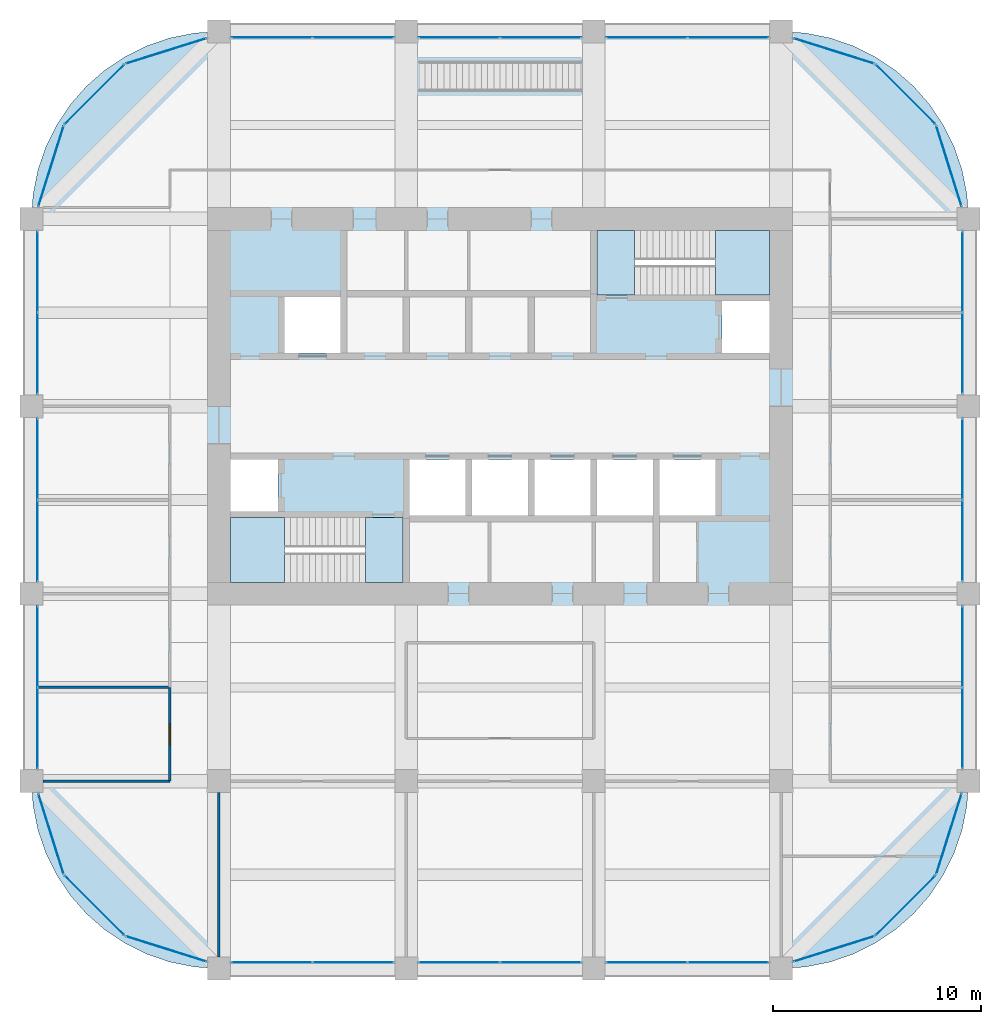
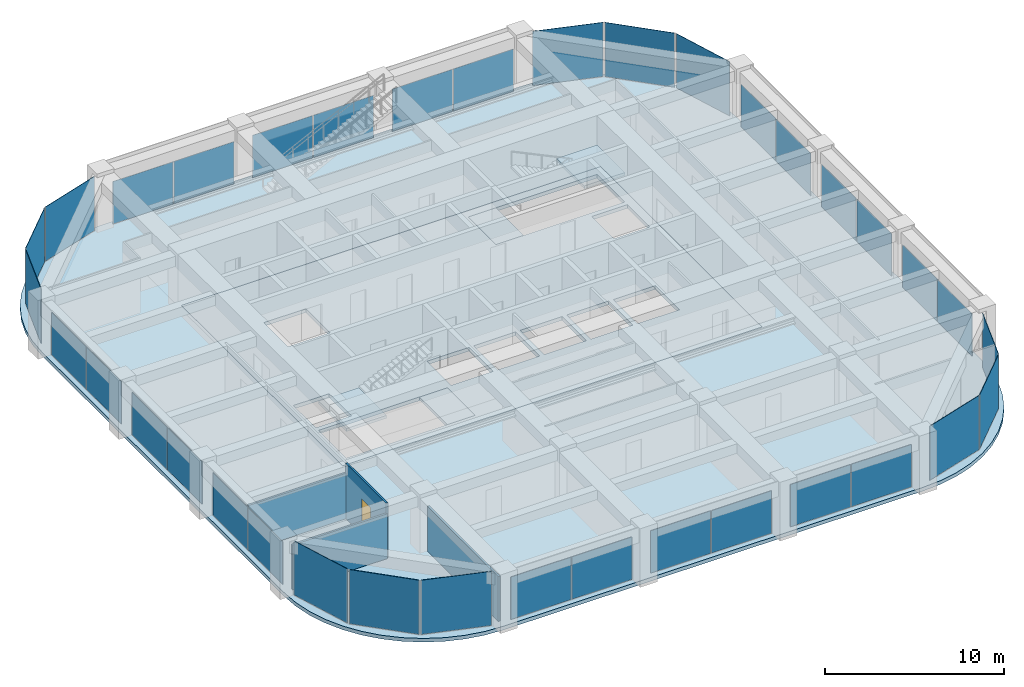
# One storey, part 40 of 45: 36 plates, 6 slabs, 4 walls, 1 door, 1 opening, 26 elements without a shape of their own.
"""IFC4 building model written with IfcOpenShell, lengths in metres."""

from ifc_helpers import new_model, si_unit, direction, frame, frame_2d, origin, origin_2d, place, context, subcontext, project, spatial, polyline, rectangle, outline, extrude, material, layer, layer_set, type_object, element, fill, aggregate, save


model = new_model("IFC4")

# Units and contexts
model_context = context("Model", 3, precision=1e-05, world=origin(), true_north=direction((0.0, 1.0)))
body_context = subcontext(model_context, "Body", "Model", "MODEL_VIEW")
ifc_project = project(units=[si_unit("LENGTHUNIT", "METRE"), si_unit("AREAUNIT", "SQUARE_METRE"), si_unit("VOLUMEUNIT", "CUBIC_METRE"), si_unit("PLANEANGLEUNIT", "RADIAN"), si_unit("MASSUNIT", "GRAM", prefix="KILO")], contexts=[model_context])

# Site, building, storey
site_placement = place(None, origin())
site = spatial("IfcSite", under=ifc_project, at=site_placement, CompositionType="ELEMENT")
building_placement = place(site_placement, origin())
building = spatial("IfcBuilding", under=site, at=building_placement, Name="Zorevar Civic Tower", CompositionType="ELEMENT")
storey_placement = place(building_placement, frame((0.0, 0.0, 291.39990234375)))
storey = spatial("IfcBuildingStorey", under=building, at=storey_placement, Name="L71", CompositionType="ELEMENT", Elevation=291.39990234375)

# Curtain wall, plates
ifc_material_1 = material(Name="Dark grey solar-control glass in black aluminium frame", Category="aluminium")
curtain_wall_type = type_object("IfcCurtainWallType", Name="Curtain wall CW5 top zone", PredefinedType="NOTDEFINED", material=ifc_material_1)
curtain_wall_1_placement = place(storey_placement, origin())
curtain_wall_1 = element("IfcCurtainWall", 1, at=curtain_wall_1_placement, inside=storey, type_object=curtain_wall_type, Name="CW5 L71", PredefinedType="NOTDEFINED")
ifc_material_2 = material(Name="Dark grey solar-control glass", Category="glass")
ifc_layer_1 = layer(ifc_material_2, 0.028076171875)
ifc_layer_set_1 = layer_set([ifc_layer_1], Name="CW5 panel 28")
plate_type = type_object("IfcPlateType", Name="CW5 panel 28", PredefinedType="CURTAIN_PANEL", material=ifc_layer_set_1)
plate_1_placement = place(storey_placement, frame((20.5400390625, 0.300048828125, 0.06005859375), z_axis=(0.0, 0.0, 1.0), x_axis=(1.0, 0.0, 0.0)))
plate_1 = element("IfcPlate", 2, at=plate_1_placement, type_object=plate_type, Name="CW5 panel 1.1", PredefinedType="CURTAIN_PANEL", context=body_context, shape_type="SweptSolid", body=[
    extrude(rectangle(XDim=3.860107421875, YDim=0.028076171875, at=origin_2d()), origin(), (0.0, 0.0, 1.0), 2.889892578125),
])
plate_2_placement = place(storey_placement, frame((24.4599609375, 0.300048828125, 0.06005859375), z_axis=(0.0, 0.0, 1.0), x_axis=(1.0, 0.0, 0.0)))
plate_2 = element("IfcPlate", 3, at=plate_2_placement, type_object=plate_type, Name="CW5 panel 2.1", PredefinedType="CURTAIN_PANEL", context=body_context, shape_type="SweptSolid", body=[
    extrude(rectangle(XDim=3.860107421875, YDim=0.028076171875, at=origin_2d()), origin(), (0.0, 0.0, 1.0), 2.889892578125),
])
aggregate(curtain_wall_1, [plate_1, plate_2])

curtain_wall_2_placement = place(storey_placement, origin())
curtain_wall_2 = element("IfcCurtainWall", 4, at=curtain_wall_2_placement, inside=storey, type_object=curtain_wall_type, Name="CW5 L71", PredefinedType="NOTDEFINED")
plate_3_placement = place(storey_placement, frame((20.5400390625, 44.699951171875, 0.06005859375), z_axis=(0.0, 0.0, 1.0), x_axis=(1.0, 0.0, 0.0)))
plate_3 = element("IfcPlate", 5, at=plate_3_placement, type_object=plate_type, Name="CW5 panel 1.1", PredefinedType="CURTAIN_PANEL", context=body_context, shape_type="SweptSolid", body=[
    extrude(rectangle(XDim=3.860107421875, YDim=0.028076171875, at=origin_2d()), origin(), (0.0, 0.0, 1.0), 2.889892578125),
])
plate_4_placement = place(storey_placement, frame((24.4599609375, 44.699951171875, 0.06005859375), z_axis=(0.0, 0.0, 1.0), x_axis=(1.0, 0.0, 0.0)))
plate_4 = element("IfcPlate", 6, at=plate_4_placement, type_object=plate_type, Name="CW5 panel 2.1", PredefinedType="CURTAIN_PANEL", context=body_context, shape_type="SweptSolid", body=[
    extrude(rectangle(XDim=3.860107421875, YDim=0.028076171875, at=origin_2d()), origin(), (0.0, 0.0, 1.0), 2.889892578125),
])
aggregate(curtain_wall_2, [plate_3, plate_4])

curtain_wall_3_placement = place(storey_placement, origin())
curtain_wall_3 = element("IfcCurtainWall", 7, at=curtain_wall_3_placement, inside=storey, type_object=curtain_wall_type, Name="CW5 L71", PredefinedType="NOTDEFINED")
plate_5_placement = place(storey_placement, frame((29.5400390625, 0.300048828125, 0.06005859375), z_axis=(0.0, 0.0, 1.0), x_axis=(1.0, 0.0, 0.0)))
plate_5 = element("IfcPlate", 8, at=plate_5_placement, type_object=plate_type, Name="CW5 panel 1.1", PredefinedType="CURTAIN_PANEL", context=body_context, shape_type="SweptSolid", body=[
    extrude(rectangle(XDim=3.860107421875, YDim=0.028076171875, at=origin_2d()), origin(), (0.0, 0.0, 1.0), 2.889892578125),
])
plate_6_placement = place(storey_placement, frame((33.4599609375, 0.300048828125, 0.06005859375), z_axis=(0.0, 0.0, 1.0), x_axis=(1.0, 0.0, 0.0)))
plate_6 = element("IfcPlate", 9, at=plate_6_placement, type_object=plate_type, Name="CW5 panel 2.1", PredefinedType="CURTAIN_PANEL", context=body_context, shape_type="SweptSolid", body=[
    extrude(rectangle(XDim=3.860107421875, YDim=0.028076171875, at=origin_2d()), origin(), (0.0, 0.0, 1.0), 2.889892578125),
])
aggregate(curtain_wall_3, [plate_5, plate_6])

curtain_wall_4_placement = place(storey_placement, origin())
curtain_wall_4 = element("IfcCurtainWall", 10, at=curtain_wall_4_placement, inside=storey, type_object=curtain_wall_type, Name="CW5 L71", PredefinedType="NOTDEFINED")
plate_7_placement = place(storey_placement, frame((29.5400390625, 44.699951171875, 0.06005859375), z_axis=(0.0, 0.0, 1.0), x_axis=(1.0, 0.0, 0.0)))
plate_7 = element("IfcPlate", 11, at=plate_7_placement, type_object=plate_type, Name="CW5 panel 1.1", PredefinedType="CURTAIN_PANEL", context=body_context, shape_type="SweptSolid", body=[
    extrude(rectangle(XDim=3.860107421875, YDim=0.028076171875, at=origin_2d()), origin(), (0.0, 0.0, 1.0), 2.889892578125),
])
plate_8_placement = place(storey_placement, frame((33.4599609375, 44.699951171875, 0.06005859375), z_axis=(0.0, 0.0, 1.0), x_axis=(1.0, 0.0, 0.0)))
plate_8 = element("IfcPlate", 12, at=plate_8_placement, type_object=plate_type, Name="CW5 panel 2.1", PredefinedType="CURTAIN_PANEL", context=body_context, shape_type="SweptSolid", body=[
    extrude(rectangle(XDim=3.860107421875, YDim=0.028076171875, at=origin_2d()), origin(), (0.0, 0.0, 1.0), 2.889892578125),
])
aggregate(curtain_wall_4, [plate_7, plate_8])

curtain_wall_5_placement = place(storey_placement, origin())
curtain_wall_5 = element("IfcCurtainWall", 13, at=curtain_wall_5_placement, inside=storey, type_object=curtain_wall_type, Name="CW5 L71", PredefinedType="NOTDEFINED")
plate_9_placement = place(storey_placement, frame((38.5400390625, 0.300048828125, 0.06005859375), z_axis=(0.0, 0.0, 1.0), x_axis=(1.0, 0.0, 0.0)))
plate_9 = element("IfcPlate", 14, at=plate_9_placement, type_object=plate_type, Name="CW5 panel 1.1", PredefinedType="CURTAIN_PANEL", context=body_context, shape_type="SweptSolid", body=[
    extrude(rectangle(XDim=3.860107421875, YDim=0.028076171875, at=origin_2d()), origin(), (0.0, 0.0, 1.0), 2.889892578125),
])
plate_10_placement = place(storey_placement, frame((42.4599609375, 0.300048828125, 0.06005859375), z_axis=(0.0, 0.0, 1.0), x_axis=(1.0, 0.0, 0.0)))
plate_10 = element("IfcPlate", 15, at=plate_10_placement, type_object=plate_type, Name="CW5 panel 2.1", PredefinedType="CURTAIN_PANEL", context=body_context, shape_type="SweptSolid", body=[
    extrude(rectangle(XDim=3.860107421875, YDim=0.028076171875, at=origin_2d()), origin(), (0.0, 0.0, 1.0), 2.889892578125),
])
aggregate(curtain_wall_5, [plate_9, plate_10])

curtain_wall_6_placement = place(storey_placement, origin())
curtain_wall_6 = element("IfcCurtainWall", 16, at=curtain_wall_6_placement, inside=storey, type_object=curtain_wall_type, Name="CW5 L71", PredefinedType="NOTDEFINED")
plate_11_placement = place(storey_placement, frame((38.5400390625, 44.699951171875, 0.06005859375), z_axis=(0.0, 0.0, 1.0), x_axis=(1.0, 0.0, 0.0)))
plate_11 = element("IfcPlate", 17, at=plate_11_placement, type_object=plate_type, Name="CW5 panel 1.1", PredefinedType="CURTAIN_PANEL", context=body_context, shape_type="SweptSolid", body=[
    extrude(rectangle(XDim=3.860107421875, YDim=0.028076171875, at=origin_2d()), origin(), (0.0, 0.0, 1.0), 2.889892578125),
])
plate_12_placement = place(storey_placement, frame((42.4599609375, 44.699951171875, 0.06005859375), z_axis=(0.0, 0.0, 1.0), x_axis=(1.0, 0.0, 0.0)))
plate_12 = element("IfcPlate", 18, at=plate_12_placement, type_object=plate_type, Name="CW5 panel 2.1", PredefinedType="CURTAIN_PANEL", context=body_context, shape_type="SweptSolid", body=[
    extrude(rectangle(XDim=3.860107421875, YDim=0.028076171875, at=origin_2d()), origin(), (0.0, 0.0, 1.0), 2.889892578125),
])
aggregate(curtain_wall_6, [plate_11, plate_12])

curtain_wall_7_placement = place(storey_placement, origin())
curtain_wall_7 = element("IfcCurtainWall", 19, at=curtain_wall_7_placement, inside=storey, type_object=curtain_wall_type, Name="CW5 L71", PredefinedType="NOTDEFINED")
plate_13_placement = place(storey_placement, frame((9.300048828125, 11.5400390625, 0.06005859375), z_axis=(0.0, 0.0, 1.0), x_axis=(0.0, 1.0, 0.0)))
plate_13 = element("IfcPlate", 20, at=plate_13_placement, type_object=plate_type, Name="CW5 panel 1.1", PredefinedType="CURTAIN_PANEL", context=body_context, shape_type="SweptSolid", body=[
    extrude(rectangle(XDim=3.860107421875, YDim=0.028076171875, at=origin_2d()), origin(), (0.0, 0.0, 1.0), 2.889892578125),
])
plate_14_placement = place(storey_placement, frame((9.300048828125, 15.4599609375, 0.06005859375), z_axis=(0.0, 0.0, 1.0), x_axis=(0.0, 1.0, 0.0)))
plate_14 = element("IfcPlate", 21, at=plate_14_placement, type_object=plate_type, Name="CW5 panel 2.1", PredefinedType="CURTAIN_PANEL", context=body_context, shape_type="SweptSolid", body=[
    extrude(rectangle(XDim=3.860107421875, YDim=0.028076171875, at=origin_2d()), origin(), (0.0, 0.0, 1.0), 2.889892578125),
])
aggregate(curtain_wall_7, [plate_13, plate_14])

curtain_wall_8_placement = place(storey_placement, origin())
curtain_wall_8 = element("IfcCurtainWall", 22, at=curtain_wall_8_placement, inside=storey, type_object=curtain_wall_type, Name="CW5 L71", PredefinedType="NOTDEFINED")
plate_15_placement = place(storey_placement, frame((53.699951171875, 11.5400390625, 0.06005859375), z_axis=(0.0, 0.0, 1.0), x_axis=(0.0, 1.0, 0.0)))
plate_15 = element("IfcPlate", 23, at=plate_15_placement, type_object=plate_type, Name="CW5 panel 1.1", PredefinedType="CURTAIN_PANEL", context=body_context, shape_type="SweptSolid", body=[
    extrude(rectangle(XDim=3.860107421875, YDim=0.028076171875, at=origin_2d()), origin(), (0.0, 0.0, 1.0), 2.889892578125),
])
plate_16_placement = place(storey_placement, frame((53.699951171875, 15.4599609375, 0.06005859375), z_axis=(0.0, 0.0, 1.0), x_axis=(0.0, 1.0, 0.0)))
plate_16 = element("IfcPlate", 24, at=plate_16_placement, type_object=plate_type, Name="CW5 panel 2.1", PredefinedType="CURTAIN_PANEL", context=body_context, shape_type="SweptSolid", body=[
    extrude(rectangle(XDim=3.860107421875, YDim=0.028076171875, at=origin_2d()), origin(), (0.0, 0.0, 1.0), 2.889892578125),
])
aggregate(curtain_wall_8, [plate_15, plate_16])

curtain_wall_9_placement = place(storey_placement, origin())
curtain_wall_9 = element("IfcCurtainWall", 25, at=curtain_wall_9_placement, inside=storey, type_object=curtain_wall_type, Name="CW5 L71", PredefinedType="NOTDEFINED")
plate_17_placement = place(storey_placement, frame((9.300048828125, 20.5400390625, 0.06005859375), z_axis=(0.0, 0.0, 1.0), x_axis=(0.0, 1.0, 0.0)))
plate_17 = element("IfcPlate", 26, at=plate_17_placement, type_object=plate_type, Name="CW5 panel 1.1", PredefinedType="CURTAIN_PANEL", context=body_context, shape_type="SweptSolid", body=[
    extrude(rectangle(XDim=3.860107421875, YDim=0.028076171875, at=origin_2d()), origin(), (0.0, 0.0, 1.0), 2.889892578125),
])
plate_18_placement = place(storey_placement, frame((9.300048828125, 24.4599609375, 0.06005859375), z_axis=(0.0, 0.0, 1.0), x_axis=(0.0, 1.0, 0.0)))
plate_18 = element("IfcPlate", 27, at=plate_18_placement, type_object=plate_type, Name="CW5 panel 2.1", PredefinedType="CURTAIN_PANEL", context=body_context, shape_type="SweptSolid", body=[
    extrude(rectangle(XDim=3.860107421875, YDim=0.028076171875, at=origin_2d()), origin(), (0.0, 0.0, 1.0), 2.889892578125),
])
aggregate(curtain_wall_9, [plate_17, plate_18])

curtain_wall_10_placement = place(storey_placement, origin())
curtain_wall_10 = element("IfcCurtainWall", 28, at=curtain_wall_10_placement, inside=storey, type_object=curtain_wall_type, Name="CW5 L71", PredefinedType="NOTDEFINED")
plate_19_placement = place(storey_placement, frame((53.699951171875, 20.5400390625, 0.06005859375), z_axis=(0.0, 0.0, 1.0), x_axis=(0.0, 1.0, 0.0)))
plate_19 = element("IfcPlate", 29, at=plate_19_placement, type_object=plate_type, Name="CW5 panel 1.1", PredefinedType="CURTAIN_PANEL", context=body_context, shape_type="SweptSolid", body=[
    extrude(rectangle(XDim=3.860107421875, YDim=0.028076171875, at=origin_2d()), origin(), (0.0, 0.0, 1.0), 2.889892578125),
])
plate_20_placement = place(storey_placement, frame((53.699951171875, 24.4599609375, 0.06005859375), z_axis=(0.0, 0.0, 1.0), x_axis=(0.0, 1.0, 0.0)))
plate_20 = element("IfcPlate", 30, at=plate_20_placement, type_object=plate_type, Name="CW5 panel 2.1", PredefinedType="CURTAIN_PANEL", context=body_context, shape_type="SweptSolid", body=[
    extrude(rectangle(XDim=3.860107421875, YDim=0.028076171875, at=origin_2d()), origin(), (0.0, 0.0, 1.0), 2.889892578125),
])
aggregate(curtain_wall_10, [plate_19, plate_20])

curtain_wall_11_placement = place(storey_placement, origin())
curtain_wall_11 = element("IfcCurtainWall", 31, at=curtain_wall_11_placement, inside=storey, type_object=curtain_wall_type, Name="CW5 L71", PredefinedType="NOTDEFINED")
plate_21_placement = place(storey_placement, frame((9.300048828125, 29.5400390625, 0.06005859375), z_axis=(0.0, 0.0, 1.0), x_axis=(0.0, 1.0, 0.0)))
plate_21 = element("IfcPlate", 32, at=plate_21_placement, type_object=plate_type, Name="CW5 panel 1.1", PredefinedType="CURTAIN_PANEL", context=body_context, shape_type="SweptSolid", body=[
    extrude(rectangle(XDim=3.860107421875, YDim=0.028076171875, at=origin_2d()), origin(), (0.0, 0.0, 1.0), 2.889892578125),
])
plate_22_placement = place(storey_placement, frame((9.300048828125, 33.4599609375, 0.06005859375), z_axis=(0.0, 0.0, 1.0), x_axis=(0.0, 1.0, 0.0)))
plate_22 = element("IfcPlate", 33, at=plate_22_placement, type_object=plate_type, Name="CW5 panel 2.1", PredefinedType="CURTAIN_PANEL", context=body_context, shape_type="SweptSolid", body=[
    extrude(rectangle(XDim=3.860107421875, YDim=0.028076171875, at=origin_2d()), origin(), (0.0, 0.0, 1.0), 2.889892578125),
])
aggregate(curtain_wall_11, [plate_21, plate_22])

curtain_wall_12_placement = place(storey_placement, origin())
curtain_wall_12 = element("IfcCurtainWall", 34, at=curtain_wall_12_placement, inside=storey, type_object=curtain_wall_type, Name="CW5 L71", PredefinedType="NOTDEFINED")
plate_23_placement = place(storey_placement, frame((53.699951171875, 29.5400390625, 0.06005859375), z_axis=(0.0, 0.0, 1.0), x_axis=(0.0, 1.0, 0.0)))
plate_23 = element("IfcPlate", 35, at=plate_23_placement, type_object=plate_type, Name="CW5 panel 1.1", PredefinedType="CURTAIN_PANEL", context=body_context, shape_type="SweptSolid", body=[
    extrude(rectangle(XDim=3.860107421875, YDim=0.028076171875, at=origin_2d()), origin(), (0.0, 0.0, 1.0), 2.889892578125),
])
plate_24_placement = place(storey_placement, frame((53.699951171875, 33.4599609375, 0.06005859375), z_axis=(0.0, 0.0, 1.0), x_axis=(0.0, 1.0, 0.0)))
plate_24 = element("IfcPlate", 36, at=plate_24_placement, type_object=plate_type, Name="CW5 panel 2.1", PredefinedType="CURTAIN_PANEL", context=body_context, shape_type="SweptSolid", body=[
    extrude(rectangle(XDim=3.860107421875, YDim=0.028076171875, at=origin_2d()), origin(), (0.0, 0.0, 1.0), 2.889892578125),
])
aggregate(curtain_wall_12, [plate_23, plate_24])

# Curtain wall, plate
curtain_wall_13_placement = place(storey_placement, origin())
curtain_wall_13 = element("IfcCurtainWall", 37, at=curtain_wall_13_placement, inside=storey, type_object=curtain_wall_type, Name="CW5 L71", PredefinedType="NOTDEFINED")
plate_25_placement = place(storey_placement, frame((47.52880859375, 0.938232421875, 0.06005859375), z_axis=(0.0, 0.0, 1.0), x_axis=(0.954153437674, 0.299317920238, 0.0)))
plate_25 = element("IfcPlate", 38, at=plate_25_placement, type_object=plate_type, Name="CW5 panel 1.1", PredefinedType="CURTAIN_PANEL", context=body_context, shape_type="SweptSolid", body=[
    extrude(rectangle(XDim=4.028076171875, YDim=0.028076171875, at=origin_2d()), origin(), (0.0, 0.0, 1.0), 3.68994140625),
])
aggregate(curtain_wall_13, [plate_25])

curtain_wall_14_placement = place(storey_placement, origin())
curtain_wall_14 = element("IfcCurtainWall", 39, at=curtain_wall_14_placement, inside=storey, type_object=curtain_wall_type, Name="CW5 L71", PredefinedType="NOTDEFINED")
plate_26_placement = place(storey_placement, frame((50.974365234375, 3.025634765625, 0.06005859375), z_axis=(0.0, 0.0, 1.0), x_axis=(0.707106781187, 0.707106781187, 0.0)))
plate_26 = element("IfcPlate", 40, at=plate_26_placement, type_object=plate_type, Name="CW5 panel 1.1", PredefinedType="CURTAIN_PANEL", context=body_context, shape_type="SweptSolid", body=[
    extrude(rectangle(XDim=4.028076171875, YDim=0.028076171875, at=origin_2d()), origin(), (0.0, 0.0, 1.0), 3.68994140625),
])
aggregate(curtain_wall_14, [plate_26])

curtain_wall_15_placement = place(storey_placement, origin())
curtain_wall_15 = element("IfcCurtainWall", 41, at=curtain_wall_15_placement, inside=storey, type_object=curtain_wall_type, Name="CW5 L71", PredefinedType="NOTDEFINED")
plate_27_placement = place(storey_placement, frame((53.061767578125, 6.47119140625, 0.06005859375), z_axis=(0.0, 0.0, 1.0), x_axis=(0.299317920238, 0.954153437674, 0.0)))
plate_27 = element("IfcPlate", 42, at=plate_27_placement, type_object=plate_type, Name="CW5 panel 1.1", PredefinedType="CURTAIN_PANEL", context=body_context, shape_type="SweptSolid", body=[
    extrude(rectangle(XDim=4.028076171875, YDim=0.028076171875, at=origin_2d()), origin(), (0.0, 0.0, 1.0), 3.68994140625),
])
aggregate(curtain_wall_15, [plate_27])

curtain_wall_16_placement = place(storey_placement, origin())
curtain_wall_16 = element("IfcCurtainWall", 43, at=curtain_wall_16_placement, inside=storey, type_object=curtain_wall_type, Name="CW5 L71", PredefinedType="NOTDEFINED")
plate_28_placement = place(storey_placement, frame((53.061767578125, 38.52880859375, 0.06005859375), z_axis=(0.0, 0.0, 1.0), x_axis=(-0.299317920238, 0.954153437674, 0.0)))
plate_28 = element("IfcPlate", 44, at=plate_28_placement, type_object=plate_type, Name="CW5 panel 1.1", PredefinedType="CURTAIN_PANEL", context=body_context, shape_type="SweptSolid", body=[
    extrude(rectangle(XDim=4.028076171875, YDim=0.028076171875, at=origin_2d()), origin(), (0.0, 0.0, 1.0), 3.68994140625),
])
aggregate(curtain_wall_16, [plate_28])

curtain_wall_17_placement = place(storey_placement, origin())
curtain_wall_17 = element("IfcCurtainWall", 45, at=curtain_wall_17_placement, inside=storey, type_object=curtain_wall_type, Name="CW5 L71", PredefinedType="NOTDEFINED")
plate_29_placement = place(storey_placement, frame((50.974365234375, 41.974365234375, 0.06005859375), z_axis=(0.0, 0.0, 1.0), x_axis=(-0.707106781187, 0.707106781187, 0.0)))
plate_29 = element("IfcPlate", 46, at=plate_29_placement, type_object=plate_type, Name="CW5 panel 1.1", PredefinedType="CURTAIN_PANEL", context=body_context, shape_type="SweptSolid", body=[
    extrude(rectangle(XDim=4.028076171875, YDim=0.028076171875, at=origin_2d()), origin(), (0.0, 0.0, 1.0), 3.68994140625),
])
aggregate(curtain_wall_17, [plate_29])

curtain_wall_18_placement = place(storey_placement, origin())
curtain_wall_18 = element("IfcCurtainWall", 47, at=curtain_wall_18_placement, inside=storey, type_object=curtain_wall_type, Name="CW5 L71", PredefinedType="NOTDEFINED")
plate_30_placement = place(storey_placement, frame((47.52880859375, 44.061767578125, 0.06005859375), z_axis=(0.0, 0.0, 1.0), x_axis=(-0.954153437674, 0.299317920238, 0.0)))
plate_30 = element("IfcPlate", 48, at=plate_30_placement, type_object=plate_type, Name="CW5 panel 1.1", PredefinedType="CURTAIN_PANEL", context=body_context, shape_type="SweptSolid", body=[
    extrude(rectangle(XDim=4.028076171875, YDim=0.028076171875, at=origin_2d()), origin(), (0.0, 0.0, 1.0), 3.68994140625),
])
aggregate(curtain_wall_18, [plate_30])

curtain_wall_19_placement = place(storey_placement, origin())
curtain_wall_19 = element("IfcCurtainWall", 49, at=curtain_wall_19_placement, inside=storey, type_object=curtain_wall_type, Name="CW5 L71", PredefinedType="NOTDEFINED")
plate_31_placement = place(storey_placement, frame((15.47119140625, 44.061767578125, 0.06005859375), z_axis=(0.0, 0.0, 1.0), x_axis=(-0.954153437674, -0.299317920238, 0.0)))
plate_31 = element("IfcPlate", 50, at=plate_31_placement, type_object=plate_type, Name="CW5 panel 1.1", PredefinedType="CURTAIN_PANEL", context=body_context, shape_type="SweptSolid", body=[
    extrude(rectangle(XDim=4.028076171875, YDim=0.028076171875, at=origin_2d()), origin(), (0.0, 0.0, 1.0), 3.68994140625),
])
aggregate(curtain_wall_19, [plate_31])

curtain_wall_20_placement = place(storey_placement, origin())
curtain_wall_20 = element("IfcCurtainWall", 51, at=curtain_wall_20_placement, inside=storey, type_object=curtain_wall_type, Name="CW5 L71", PredefinedType="NOTDEFINED")
plate_32_placement = place(storey_placement, frame((12.025634765625, 41.974365234375, 0.06005859375), z_axis=(0.0, 0.0, 1.0), x_axis=(-0.707106781187, -0.707106781187, 0.0)))
plate_32 = element("IfcPlate", 52, at=plate_32_placement, type_object=plate_type, Name="CW5 panel 1.1", PredefinedType="CURTAIN_PANEL", context=body_context, shape_type="SweptSolid", body=[
    extrude(rectangle(XDim=4.028076171875, YDim=0.028076171875, at=origin_2d()), origin(), (0.0, 0.0, 1.0), 3.68994140625),
])
aggregate(curtain_wall_20, [plate_32])

curtain_wall_21_placement = place(storey_placement, origin())
curtain_wall_21 = element("IfcCurtainWall", 53, at=curtain_wall_21_placement, inside=storey, type_object=curtain_wall_type, Name="CW5 L71", PredefinedType="NOTDEFINED")
plate_33_placement = place(storey_placement, frame((9.938232421875, 38.52880859375, 0.06005859375), z_axis=(0.0, 0.0, 1.0), x_axis=(-0.299317920238, -0.954153437674, 0.0)))
plate_33 = element("IfcPlate", 54, at=plate_33_placement, type_object=plate_type, Name="CW5 panel 1.1", PredefinedType="CURTAIN_PANEL", context=body_context, shape_type="SweptSolid", body=[
    extrude(rectangle(XDim=4.028076171875, YDim=0.028076171875, at=origin_2d()), origin(), (0.0, 0.0, 1.0), 3.68994140625),
])
aggregate(curtain_wall_21, [plate_33])

curtain_wall_22_placement = place(storey_placement, origin())
curtain_wall_22 = element("IfcCurtainWall", 55, at=curtain_wall_22_placement, inside=storey, type_object=curtain_wall_type, Name="CW5 L71", PredefinedType="NOTDEFINED")
plate_34_placement = place(storey_placement, frame((9.938232421875, 6.47119140625, 0.06005859375), z_axis=(0.0, 0.0, 1.0), x_axis=(0.299317920238, -0.954153437674, 0.0)))
plate_34 = element("IfcPlate", 56, at=plate_34_placement, type_object=plate_type, Name="CW5 panel 1.1", PredefinedType="CURTAIN_PANEL", context=body_context, shape_type="SweptSolid", body=[
    extrude(rectangle(XDim=4.028076171875, YDim=0.028076171875, at=origin_2d()), origin(), (0.0, 0.0, 1.0), 3.68994140625),
])
aggregate(curtain_wall_22, [plate_34])

curtain_wall_23_placement = place(storey_placement, origin())
curtain_wall_23 = element("IfcCurtainWall", 57, at=curtain_wall_23_placement, inside=storey, type_object=curtain_wall_type, Name="CW5 L71", PredefinedType="NOTDEFINED")
plate_35_placement = place(storey_placement, frame((12.025634765625, 3.025634765625, 0.06005859375), z_axis=(0.0, 0.0, 1.0), x_axis=(0.707106781187, -0.707106781187, 0.0)))
plate_35 = element("IfcPlate", 58, at=plate_35_placement, type_object=plate_type, Name="CW5 panel 1.1", PredefinedType="CURTAIN_PANEL", context=body_context, shape_type="SweptSolid", body=[
    extrude(rectangle(XDim=4.028076171875, YDim=0.028076171875, at=origin_2d()), origin(), (0.0, 0.0, 1.0), 3.68994140625),
])
aggregate(curtain_wall_23, [plate_35])

curtain_wall_24_placement = place(storey_placement, origin())
curtain_wall_24 = element("IfcCurtainWall", 59, at=curtain_wall_24_placement, inside=storey, type_object=curtain_wall_type, Name="CW5 L71", PredefinedType="NOTDEFINED")
plate_36_placement = place(storey_placement, frame((15.47119140625, 0.938232421875, 0.06005859375), z_axis=(0.0, 0.0, 1.0), x_axis=(0.954153437674, -0.299317920238, 0.0)))
plate_36 = element("IfcPlate", 60, at=plate_36_placement, type_object=plate_type, Name="CW5 panel 1.1", PredefinedType="CURTAIN_PANEL", context=body_context, shape_type="SweptSolid", body=[
    extrude(rectangle(XDim=4.028076171875, YDim=0.028076171875, at=origin_2d()), origin(), (0.0, 0.0, 1.0), 3.68994140625),
])
aggregate(curtain_wall_24, [plate_36])

# Slabs
ifc_material_3 = material(Name="Concrete C40/50", Category="concrete")
ifc_layer_2 = layer(ifc_material_3, 0.25)
ifc_layer_set_2 = layer_set([ifc_layer_2], Name="Floor slab 250")
slab_type_1 = type_object("IfcSlabType", Name="Floor slab 250", PredefinedType="FLOOR", material=ifc_layer_set_2)
slab_1_placement = place(storey_placement, frame((0.0, 0.0, -0.25)))
element("IfcSlab", 61, at=slab_1_placement, inside=storey, type_object=slab_type_1, Name="Floor slab L71", PredefinedType="FLOOR", context=body_context, shape_type="SweptSolid", body=[
    extrude(outline(polyline([(45.0, 0.0), (46.1748046875, 0.076904296875), (47.329345703125, 0.306640625), (48.444091796875, 0.68505859375), (49.5, 1.205810546875), (50.478759765625, 1.85986328125), (51.364013671875, 2.635986328125), (52.14013671875, 3.521240234375), (52.794189453125, 4.5), (53.31494140625, 5.555908203125), (53.693359375, 6.670654296875), (53.923095703125, 7.8251953125), (54.0, 9.0), (54.0, 36.0), (53.923095703125, 37.1748046875), (53.693359375, 38.329345703125), (53.31494140625, 39.444091796875), (52.794189453125, 40.5), (52.14013671875, 41.478759765625), (51.364013671875, 42.364013671875), (50.478759765625, 43.14013671875), (49.5, 43.794189453125), (48.444091796875, 44.31494140625), (47.329345703125, 44.693359375), (46.1748046875, 44.923095703125), (45.0, 45.0), (18.0, 45.0), (16.8251953125, 44.923095703125), (15.670654296875, 44.693359375), (14.555908203125, 44.31494140625), (13.5, 43.794189453125), (12.521240234375, 43.14013671875), (11.635986328125, 42.364013671875), (10.85986328125, 41.478759765625), (10.205810546875, 40.5), (9.68505859375, 39.444091796875), (9.306640625, 38.329345703125), (9.076904296875, 37.1748046875), (9.0, 36.0), (9.0, 9.0), (9.076904296875, 7.8251953125), (9.306640625, 6.670654296875), (9.68505859375, 5.555908203125), (10.205810546875, 4.5), (10.85986328125, 3.521240234375), (11.635986328125, 2.635986328125), (12.521240234375, 1.85986328125), (13.5, 1.205810546875), (14.555908203125, 0.68505859375), (15.670654296875, 0.306640625), (16.8251953125, 0.076904296875), (18.0, 0.0), (45.0, 0.0)]), holes=[polyline([(18.0, 18.0), (45.0, 18.0), (45.0, 36.0), (18.0, 36.0), (18.0, 18.0)])]), origin(), (0.0, 0.0, 1.0), 0.25),
])
slab_2_placement = place(storey_placement, frame((0.0, 0.0, -0.25)))
element("IfcSlab", 62, at=slab_2_placement, inside=storey, type_object=slab_type_1, Name="Core floor L71", PredefinedType="FLOOR", context=body_context, shape_type="SweptSolid", body=[
    extrude(outline(polyline([(18.0, 18.0), (45.0, 18.0), (45.0, 36.0), (18.0, 36.0), (18.0, 18.0)]), holes=[polyline([(18.550048828125, 18.550048828125), (26.85009765625, 18.550048828125), (26.85009765625, 21.64990234375), (18.550048828125, 21.64990234375), (18.550048828125, 18.550048828125)]), polyline([(36.14990234375, 32.35009765625), (44.449951171875, 32.35009765625), (44.449951171875, 35.449951171875), (36.14990234375, 35.449951171875), (36.14990234375, 32.35009765625)]), polyline([(18.550048828125, 21.949951171875), (20.85009765625, 21.949951171875), (20.85009765625, 24.449951171875), (18.550048828125, 24.449951171875), (18.550048828125, 21.949951171875)]), polyline([(42.14990234375, 29.550048828125), (44.449951171875, 29.550048828125), (44.449951171875, 32.050048828125), (42.14990234375, 32.050048828125), (42.14990234375, 29.550048828125)]), polyline([(27.14990234375, 21.75), (29.85009765625, 21.75), (29.85009765625, 24.449951171875), (27.14990234375, 24.449951171875), (27.14990234375, 21.75)]), polyline([(30.14990234375, 21.75), (32.85009765625, 21.75), (32.85009765625, 24.449951171875), (30.14990234375, 24.449951171875), (30.14990234375, 21.75)]), polyline([(33.14990234375, 21.75), (35.85009765625, 21.75), (35.85009765625, 24.449951171875), (33.14990234375, 24.449951171875), (33.14990234375, 21.75)]), polyline([(36.14990234375, 21.75), (38.85009765625, 21.75), (38.85009765625, 24.449951171875), (36.14990234375, 24.449951171875), (36.14990234375, 21.75)]), polyline([(39.14990234375, 21.75), (41.85009765625, 21.75), (41.85009765625, 24.449951171875), (39.14990234375, 24.449951171875), (39.14990234375, 21.75)]), polyline([(21.14990234375, 29.550048828125), (23.85009765625, 29.550048828125), (23.85009765625, 32.25), (21.14990234375, 32.25), (21.14990234375, 29.550048828125)])]), origin(), (0.0, 0.0, 1.0), 0.25),
])

# Stair, slabs
ifc_material_4 = material(Name="Precast concrete C40/50", Category="concrete")
stair_type = type_object("IfcStairType", Name="Stair ST 28R", PredefinedType="HALF_TURN_STAIR", material=ifc_material_4)
stair_1_placement = place(storey_placement, origin())
stair_1 = element("IfcStair", 63, at=stair_1_placement, inside=storey, type_object=stair_type, Name="Stair ST1 L71", PredefinedType="HALF_TURN_STAIR")
ifc_material_5 = material(Name="Concrete C40/50", Category="concrete")
ifc_layer_3 = layer(ifc_material_5, 0.199951171875)
ifc_layer_set_3 = layer_set([ifc_layer_3], Name="Stair landing 200")
slab_type_2 = type_object("IfcSlabType", Name="Stair landing 200", PredefinedType="LANDING", material=ifc_layer_set_3)
slab_3_placement = place(storey_placement, frame((0.0, 0.0, -0.199951171875)))
slab_3 = element("IfcSlab", 64, at=slab_3_placement, type_object=slab_type_2, Name="ST1 landing 1", PredefinedType="LANDING", context=body_context, shape_type="SweptSolid", body=[
    extrude(outline(polyline([(25.050048828125, 18.550048828125), (26.85009765625, 18.550048828125), (26.85009765625, 21.64990234375), (25.050048828125, 21.64990234375), (25.050048828125, 18.550048828125)])), origin(), (0.0, 0.0, 1.0), 0.199951171875),
])
slab_4_placement = place(storey_placement, frame((0.0, 0.0, 1.800048828125)))
slab_4 = element("IfcSlab", 65, at=slab_4_placement, type_object=slab_type_2, Name="ST1 landing 2", PredefinedType="LANDING", context=body_context, shape_type="SweptSolid", body=[
    extrude(outline(polyline([(18.550048828125, 18.550048828125), (21.14990234375, 18.550048828125), (21.14990234375, 21.64990234375), (18.550048828125, 21.64990234375), (18.550048828125, 18.550048828125)])), origin(), (0.0, 0.0, 1.0), 0.199951171875),
])
aggregate(stair_1, [slab_3, slab_4])

stair_2_placement = place(storey_placement, origin())
stair_2 = element("IfcStair", 66, at=stair_2_placement, inside=storey, type_object=stair_type, Name="Stair ST2 L71", PredefinedType="HALF_TURN_STAIR")
slab_5_placement = place(storey_placement, frame((0.0, 0.0, -0.199951171875)))
slab_5 = element("IfcSlab", 67, at=slab_5_placement, type_object=slab_type_2, Name="ST2 landing 1", PredefinedType="LANDING", context=body_context, shape_type="SweptSolid", body=[
    extrude(outline(polyline([(37.949951171875, 32.35009765625), (36.14990234375, 32.35009765625), (36.14990234375, 35.449951171875), (37.949951171875, 35.449951171875), (37.949951171875, 32.35009765625)])), origin(), (0.0, 0.0, 1.0), 0.199951171875),
])
slab_6_placement = place(storey_placement, frame((0.0, 0.0, 1.800048828125)))
slab_6 = element("IfcSlab", 68, at=slab_6_placement, type_object=slab_type_2, Name="ST2 landing 2", PredefinedType="LANDING", context=body_context, shape_type="SweptSolid", body=[
    extrude(outline(polyline([(44.449951171875, 32.35009765625), (41.85009765625, 32.35009765625), (41.85009765625, 35.449951171875), (44.449951171875, 35.449951171875), (44.449951171875, 32.35009765625)])), origin(), (0.0, 0.0, 1.0), 0.199951171875),
])
aggregate(stair_2, [slab_5, slab_6])

# Walls
ifc_material_6 = material(Name="Gypsum board on steel studs", Category="steel")
ifc_layer_4 = layer(ifc_material_6, 0.1201171875)
ifc_layer_set_4 = layer_set([ifc_layer_4], Name="Partition 120")
wall_type = type_object("IfcWallType", Name="Partition 120", PredefinedType="PARTITIONING", material=ifc_layer_set_4)
wall_1_placement = place(storey_placement, frame((9.550048828125, 9.0, 0.0), z_axis=(0.0, 0.0, 1.0), x_axis=(1.0, 0.0, 0.0)))
element("IfcWall", 69, at=wall_1_placement, inside=storey, type_object=wall_type, Name="Partition 120 L71", PredefinedType="PARTITIONING", context=body_context, shape_type="SweptSolid", body=[
    extrude(rectangle(XDim=6.099853515625, YDim=0.1201171875, at=frame_2d((3.0498046875, 0.0))), origin(), (0.0, 0.0, 1.0), 3.050048828125),
])
wall_2_placement = place(storey_placement, frame((9.31005859375, 13.5, 0.0), z_axis=(0.0, 0.0, 1.0), x_axis=(1.0, 0.0, 0.0)))
element("IfcWall", 70, at=wall_2_placement, inside=storey, type_object=wall_type, Name="Partition 120 L71", PredefinedType="PARTITIONING", context=body_context, shape_type="SweptSolid", body=[
    extrude(rectangle(XDim=6.33984375, YDim=0.1201171875, at=frame_2d((3.169921875, 0.0))), origin(), (0.0, 0.0, 1.0), 3.10009765625),
])

# Wall, opening, door
wall_3_placement = place(storey_placement, frame((15.64990234375, 9.0, 0.0), z_axis=(0.0, 0.0, 1.0), x_axis=(0.0, 1.0, 0.0)))
wall_3 = element("IfcWall", 71, at=wall_3_placement, inside=storey, type_object=wall_type, Name="Partition 120 L71", PredefinedType="PARTITIONING", context=body_context, shape_type="SweptSolid", body=[
    extrude(rectangle(XDim=4.5, YDim=0.1201171875, at=frame_2d((2.25, 0.0))), origin(), (0.0, 0.0, 1.0), 3.75),
])
opening_placement = place(wall_3_placement, frame((1.75, 0.0, 0.0)))
opening = element("IfcOpeningElement", 72, at=opening_placement, cuts=wall_3, Name="Opening L71.23", PredefinedType="OPENING", context=body_context, shape_type="SweptSolid", body=[
    extrude(rectangle(XDim=1.0, YDim=2.39990234375, at=frame_2d((0.5, 1.199951171875))), frame((0.0, 0.070068359375, 0.0), z_axis=(0.0, -1.0, 0.0), x_axis=(1.0, 0.0, 0.0)), (0.0, 0.0, 1.0), 0.14013671875),
])
ifc_material_7 = material(Name="Timber door set", Category="wood")
door_type = type_object("IfcDoorType", Name="Door D1 1000x2400", OperationType="SINGLE_SWING_LEFT", PredefinedType="DOOR", material=ifc_material_7)
door_placement = place(opening_placement, origin())
door = element("IfcDoor", 73, at=door_placement, inside=storey, type_object=door_type, Name="Door L71 D1", OperationType="SINGLE_SWING_RIGHT", OverallHeight=2.39990234375, OverallWidth=1.0, PredefinedType="DOOR", context=body_context, shape_type="SweptSolid", body=[
    extrude(rectangle(XDim=1.0, YDim=2.39990234375, at=frame_2d((0.5, 1.199951171875))), frame((0.0, 0.02490234375, 0.0), z_axis=(0.0, -1.0, 0.0), x_axis=(1.0, 0.0, 0.0)), (0.0, 0.0, 1.0), 0.050048828125),
])
fill(opening, door)

# Wall
wall_4_placement = place(storey_placement, frame((18.0, 0.550048828125, 0.0), z_axis=(0.0, 0.0, 1.0), x_axis=(0.0, 1.0, 0.0)))
element("IfcWall", 74, at=wall_4_placement, inside=storey, type_object=wall_type, Name="Partition 120 L71", PredefinedType="PARTITIONING", context=body_context, shape_type="SweptSolid", body=[
    extrude(rectangle(XDim=7.89990234375, YDim=0.1201171875, at=frame_2d((3.949951171875, 0.0))), origin(), (0.0, 0.0, 1.0), 3.050048828125),
])

save(model, "model.ifc")
